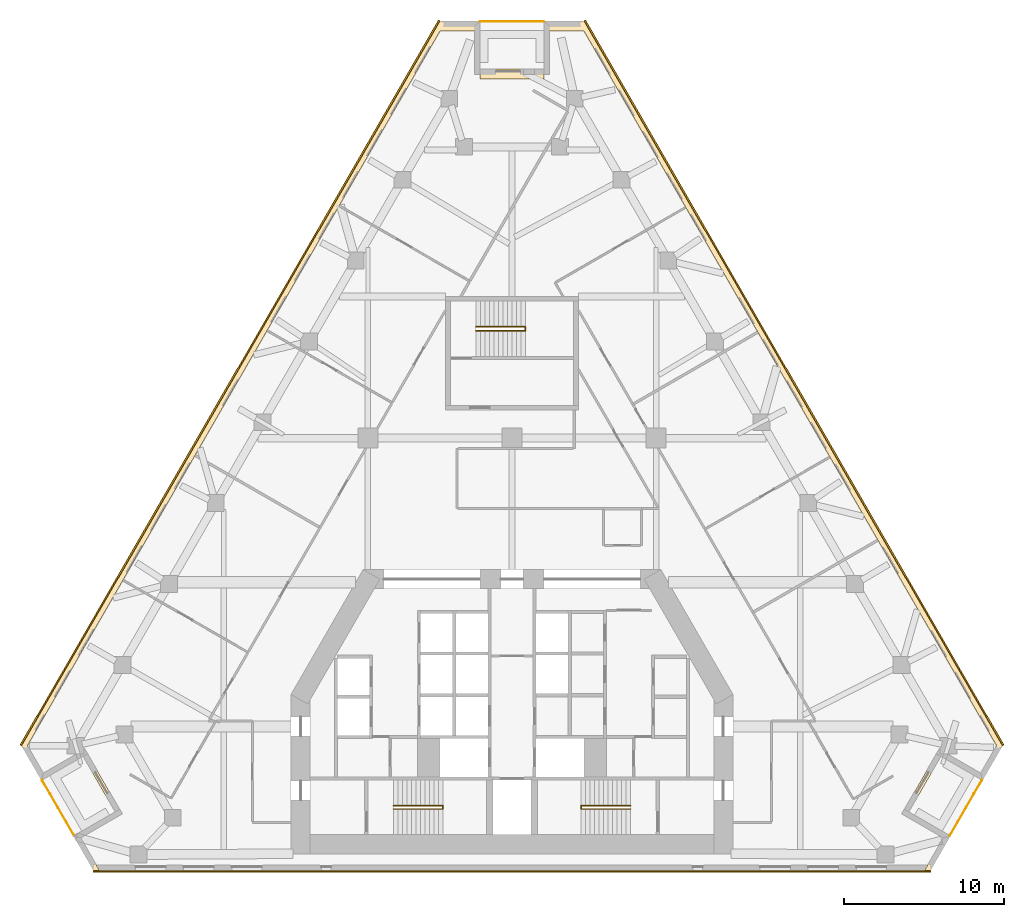
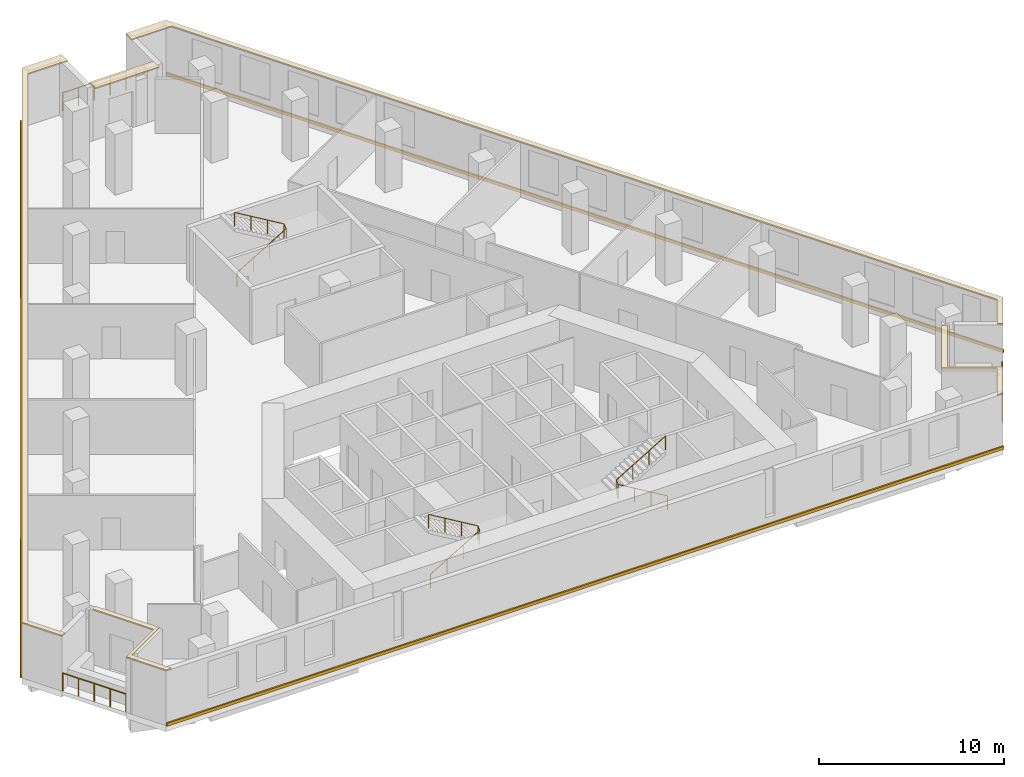
# One storey, part 9 of 9: 8 coverings, 6 railings.
"""IFC4 building model written with IfcOpenShell, lengths in metres."""

from ifc_helpers import new_model, si_unit, direction, frame, origin, origin_2d, place, context, subcontext, project, spatial, polyline, circle, outline, extrude, material, layer, layer_set, type_object, element, save


model = new_model("IFC4")

# Units and contexts
model_context = context("Model", 3, precision=1e-05, world=origin(), true_north=direction((0.0, 1.0)))
body_context = subcontext(model_context, "Body", "Model", "MODEL_VIEW")
ifc_project = project(units=[si_unit("LENGTHUNIT", "METRE"), si_unit("AREAUNIT", "SQUARE_METRE"), si_unit("VOLUMEUNIT", "CUBIC_METRE"), si_unit("PLANEANGLEUNIT", "RADIAN"), si_unit("MASSUNIT", "GRAM", prefix="KILO")], contexts=[model_context])

# Site, building, storey
site_placement = place(None, origin())
site = spatial("IfcSite", under=ifc_project, at=site_placement, CompositionType="ELEMENT")
building_placement = place(site_placement, origin())
building = spatial("IfcBuilding", under=site, at=building_placement, Name="Fogline Exchange Tower", CompositionType="ELEMENT")
storey_placement = place(building_placement, frame((0.0, 0.0, 104.10009765625)))
storey = spatial("IfcBuildingStorey", under=building, at=storey_placement, Name="L22", CompositionType="ELEMENT", Elevation=104.10009765625)

# Coverings
ifc_material_1 = material(Name="Granite", Category="masonry")
ifc_layer = layer(ifc_material_1, 0.080078125)
ifc_layer_set = layer_set([ifc_layer], Name="CP1")
covering_type_1 = type_object("IfcCoveringType", Name="CP1", PredefinedType="USERDEFINED", material=ifc_layer_set)
covering_1_placement = place(storey_placement, frame((0.0, 0.0, 3.599853515625)))
element("IfcCovering", 1, at=covering_1_placement, inside=storey, type_object=covering_type_1, Name="Ledge coping L22", ObjectType="COPING", PredefinedType="USERDEFINED", context=body_context, shape_type="SweptSolid", body=[
    extrude(outline(polyline([(-29.387939453125, 5.629150390625), (-29.10888671875, 5.790283203125), (-30.265625, 7.794189453125), (-4.5, 52.421630859375), (-2.0, 52.421630859375), (-2.0, 53.066650390625), (-4.5, 53.066650390625), (-30.637939453125, 7.794189453125), (-29.387939453125, 5.629150390625)])), origin(), (0.0, 0.0, 1.0), 0.080078125),
])
covering_2_placement = place(storey_placement, frame((0.0, 0.0, 3.599853515625)))
element("IfcCovering", 2, at=covering_2_placement, inside=storey, type_object=covering_type_1, Name="Ledge coping L22", ObjectType="COPING", PredefinedType="USERDEFINED", context=body_context, shape_type="SweptSolid", body=[
    extrude(outline(polyline([(-26.137939453125, 0.0), (-25.765625, 0.0), (-27.015625, 2.1650390625), (-24.41748046875, 3.6650390625), (-26.41748046875, 7.129150390625), (-26.697021484375, 6.968017578125), (-24.7900390625, 3.6650390625), (-27.387939453125, 2.1650390625), (-26.137939453125, 0.0)])), origin(), (0.0, 0.0, 1.0), 0.080078125),
])
covering_3_placement = place(storey_placement, frame((0.0, 0.0, 3.599853515625)))
element("IfcCovering", 3, at=covering_3_placement, inside=storey, type_object=covering_type_1, Name="Ledge coping L22", ObjectType="COPING", PredefinedType="USERDEFINED", context=body_context, shape_type="SweptSolid", body=[
    extrude(outline(polyline([(24.7900390625, 3.6650390625), (26.697021484375, 6.968017578125), (26.41748046875, 7.129150390625), (24.41748046875, 3.6650390625), (27.015625, 2.1650390625), (25.765625, 0.0), (26.137939453125, 0.0), (27.387939453125, 2.1650390625), (24.7900390625, 3.6650390625)])), origin(), (0.0, 0.0, 1.0), 0.080078125),
])
covering_4_placement = place(storey_placement, frame((0.0, 0.0, 3.599853515625)))
element("IfcCovering", 4, at=covering_4_placement, inside=storey, type_object=covering_type_1, Name="Ledge coping L22", ObjectType="COPING", PredefinedType="USERDEFINED", context=body_context, shape_type="SweptSolid", body=[
    extrude(outline(polyline([(2.0, 53.066650390625), (2.0, 52.421630859375), (4.5, 52.421630859375), (30.265625, 7.794189453125), (29.10888671875, 5.790283203125), (29.387939453125, 5.629150390625), (30.637939453125, 7.794189453125), (4.5, 53.066650390625), (2.0, 53.066650390625)])), origin(), (0.0, 0.0, 1.0), 0.080078125),
])
covering_5_placement = place(storey_placement, frame((0.0, 0.0, 3.599853515625)))
element("IfcCovering", 5, at=covering_5_placement, inside=storey, type_object=covering_type_1, Name="Ledge coping L22", ObjectType="COPING", PredefinedType="USERDEFINED", context=body_context, shape_type="SweptSolid", body=[
    extrude(outline(polyline([(2.0, 50.066650390625), (-2.0, 50.066650390625), (-2.0, 49.421630859375), (2.0, 49.421630859375), (2.0, 50.066650390625)])), origin(), (0.0, 0.0, 1.0), 0.080078125),
])

# Railings
ifc_material_2 = material(Name="Stainless steel 304", Category="steel")
railing_type_1 = type_object("IfcRailingType", Name="G1", PredefinedType="GUARDRAIL", material=ifc_material_2)
railing_1_placement = place(storey_placement, frame((-29.334228515625, 5.635986328125, 0.0)))
element("IfcRailing", 6, at=railing_1_placement, inside=storey, type_object=railing_type_1, Name="Balcony guard L22 SW", PredefinedType="GUARDRAIL", context=body_context, shape_type="SweptSolid", body=[
    extrude(circle(Radius=0.02392578125, at=origin_2d()), frame((0.0, 0.0, 1.17578125), z_axis=(0.500000102728, -0.866025344474, 0.0), x_axis=(0.866025344474, 0.500000102728, 0.0)), (0.0, 0.0, 1.0), 3.9580078125),
    extrude(circle(Radius=0.02099609375, at=origin_2d()), origin(), (0.0, 0.0, 1.0), 1.15185546875),
    extrude(circle(Radius=0.02099609375, at=origin_2d()), frame((0.49462890625, -0.85693359375, 0.0)), (0.0, 0.0, 1.0), 1.15185546875),
    extrude(circle(Radius=0.02099609375, at=origin_2d()), frame((0.989501953125, -1.7138671875, 0.0)), (0.0, 0.0, 1.0), 1.15185546875),
    extrude(circle(Radius=0.02099609375, at=origin_2d()), frame((1.484375, -2.57080078125, 0.0)), (0.0, 0.0, 1.0), 1.15185546875),
    extrude(circle(Radius=0.02099609375, at=origin_2d()), frame((1.97900390625, -3.427734375, 0.0)), (0.0, 0.0, 1.0), 1.15185546875),
])
railing_2_placement = place(storey_placement, frame((27.355224609375, 2.208251953125, 0.0)))
element("IfcRailing", 7, at=railing_2_placement, inside=storey, type_object=railing_type_1, Name="Balcony guard L22 SE", PredefinedType="GUARDRAIL", context=body_context, shape_type="SweptSolid", body=[
    extrude(circle(Radius=0.02392578125, at=origin_2d()), frame((0.0, 0.0, 1.17578125), z_axis=(0.500000102728, 0.866025344474, 0.0), x_axis=(-0.866025344474, 0.500000102728, 0.0)), (0.0, 0.0, 1.0), 3.9580078125),
    extrude(circle(Radius=0.02099609375, at=origin_2d()), origin(), (0.0, 0.0, 1.0), 1.15185546875),
    extrude(circle(Radius=0.02099609375, at=origin_2d()), frame((0.49462890625, 0.85693359375, 0.0)), (0.0, 0.0, 1.0), 1.15185546875),
    extrude(circle(Radius=0.02099609375, at=origin_2d()), frame((0.989501953125, 1.7138671875, 0.0)), (0.0, 0.0, 1.0), 1.15185546875),
    extrude(circle(Radius=0.02099609375, at=origin_2d()), frame((1.484375, 2.57080078125, 0.0)), (0.0, 0.0, 1.0), 1.15185546875),
    extrude(circle(Radius=0.02099609375, at=origin_2d()), frame((1.97900390625, 3.427734375, 0.0)), (0.0, 0.0, 1.0), 1.15185546875),
])
railing_3_placement = place(storey_placement, frame((1.97900390625, 53.0166015625, 0.0)))
element("IfcRailing", 8, at=railing_3_placement, inside=storey, type_object=railing_type_1, Name="Balcony guard L22 N", PredefinedType="GUARDRAIL", context=body_context, shape_type="SweptSolid", body=[
    extrude(circle(Radius=0.02392578125, at=origin_2d()), frame((0.0, 0.0, 1.17578125), z_axis=(-1.0, 0.0, 0.0), x_axis=(0.0, -1.0, 0.0)), (0.0, 0.0, 1.0), 3.9580078125),
    extrude(circle(Radius=0.02099609375, at=origin_2d()), origin(), (0.0, 0.0, 1.0), 1.15185546875),
    extrude(circle(Radius=0.02099609375, at=origin_2d()), frame((-0.989501953125, 0.0, 0.0)), (0.0, 0.0, 1.0), 1.15185546875),
    extrude(circle(Radius=0.02099609375, at=origin_2d()), frame((-1.97900390625, 0.0, 0.0)), (0.0, 0.0, 1.0), 1.15185546875),
    extrude(circle(Radius=0.02099609375, at=origin_2d()), frame((-2.968505859375, 0.0, 0.0)), (0.0, 0.0, 1.0), 1.15185546875),
    extrude(circle(Radius=0.02099609375, at=origin_2d()), frame((-3.9580078125, 0.0, 0.0)), (0.0, 0.0, 1.0), 1.15185546875),
])
ifc_material_3 = material(Name="Steel Q235B", Category="steel")
railing_type_2 = type_object("IfcRailingType", Name="RL-HR", PredefinedType="HANDRAIL", material=ifc_material_3)
railing_4_placement = place(storey_placement, frame((-7.39990234375, 3.85009765625, 0.16650390625)))
element("IfcRailing", 9, at=railing_4_placement, inside=storey, type_object=railing_type_2, Name="Handrail ST1", PredefinedType="HANDRAIL", context=body_context, shape_type="SweptSolid", body=[
    extrude(circle(Radius=0.02392578125, at=origin_2d()), frame((0.0, 0.0, 0.92578125), z_axis=(0.859260807169, 0.0, 0.511537745687), x_axis=(0.0, 1.0, 0.0)), (0.0, 0.0, 1.0), 3.584228515625),
    extrude(circle(Radius=0.02392578125, at=origin_2d()), frame((3.079833984375, 0.0, 2.75927734375), z_axis=(0.0, 0.768451954486, 0.639907488351), x_axis=(-1.0, 0.0, 0.0)), (0.0, 0.0, 1.0), 0.26025390625),
    extrude(circle(Radius=0.02392578125, at=origin_2d()), frame((3.079833984375, 0.199951171875, 2.92578125), z_axis=(-0.859260807169, 0.0, 0.511537745687), x_axis=(0.0, -1.0, 0.0)), (0.0, 0.0, 1.0), 3.584228515625),
    extrude(circle(Radius=0.02099609375, at=origin_2d()), origin(), (0.0, 0.0, 1.0), 0.90185546875),
    extrude(circle(Radius=0.02099609375, at=origin_2d()), frame((1.026611328125, 0.0, 0.611083984375)), (0.0, 0.0, 1.0), 0.90185546875),
    extrude(circle(Radius=0.02099609375, at=origin_2d()), frame((2.05322265625, 0.0, 1.222412109375)), (0.0, 0.0, 1.0), 0.90185546875),
    extrude(circle(Radius=0.02099609375, at=origin_2d()), frame((3.079833984375, 0.0, 1.83349609375)), (0.0, 0.0, 1.0), 0.90185546875),
    extrude(circle(Radius=0.02099609375, at=origin_2d()), frame((3.079833984375, 0.199951171875, 2.0)), (0.0, 0.0, 1.0), 0.90185546875),
    extrude(circle(Radius=0.02099609375, at=origin_2d()), frame((2.05322265625, 0.199951171875, 2.611083984375)), (0.0, 0.0, 1.0), 0.90185546875),
    extrude(circle(Radius=0.02099609375, at=origin_2d()), frame((1.026611328125, 0.199951171875, 3.222412109375)), (0.0, 0.0, 1.0), 0.90185546875),
    extrude(circle(Radius=0.02099609375, at=origin_2d()), frame((0.0, 0.199951171875, 3.83349609375)), (0.0, 0.0, 1.0), 0.90185546875),
])
railing_5_placement = place(storey_placement, frame((7.39990234375, 3.85009765625, 0.16650390625)))
element("IfcRailing", 10, at=railing_5_placement, inside=storey, type_object=railing_type_2, Name="Handrail ST2", PredefinedType="HANDRAIL", context=body_context, shape_type="SweptSolid", body=[
    extrude(circle(Radius=0.02392578125, at=origin_2d()), frame((0.0, 0.0, 0.92578125), z_axis=(-0.859260807169, 0.0, 0.511537745687), x_axis=(0.0, -1.0, 0.0)), (0.0, 0.0, 1.0), 3.584228515625),
    extrude(circle(Radius=0.02392578125, at=origin_2d()), frame((-3.079833984375, 0.0, 2.75927734375), z_axis=(0.0, 0.768451954486, 0.639907488351), x_axis=(-1.0, 0.0, 0.0)), (0.0, 0.0, 1.0), 0.26025390625),
    extrude(circle(Radius=0.02392578125, at=origin_2d()), frame((-3.079833984375, 0.199951171875, 2.92578125), z_axis=(0.859260807169, 0.0, 0.511537745687), x_axis=(0.0, 1.0, 0.0)), (0.0, 0.0, 1.0), 3.584228515625),
    extrude(circle(Radius=0.02099609375, at=origin_2d()), origin(), (0.0, 0.0, 1.0), 0.90185546875),
    extrude(circle(Radius=0.02099609375, at=origin_2d()), frame((-1.026611328125, 0.0, 0.611083984375)), (0.0, 0.0, 1.0), 0.90185546875),
    extrude(circle(Radius=0.02099609375, at=origin_2d()), frame((-2.05322265625, 0.0, 1.222412109375)), (0.0, 0.0, 1.0), 0.90185546875),
    extrude(circle(Radius=0.02099609375, at=origin_2d()), frame((-3.079833984375, 0.0, 1.83349609375)), (0.0, 0.0, 1.0), 0.90185546875),
    extrude(circle(Radius=0.02099609375, at=origin_2d()), frame((-3.079833984375, 0.199951171875, 2.0)), (0.0, 0.0, 1.0), 0.90185546875),
    extrude(circle(Radius=0.02099609375, at=origin_2d()), frame((-2.05322265625, 0.199951171875, 2.611083984375)), (0.0, 0.0, 1.0), 0.90185546875),
    extrude(circle(Radius=0.02099609375, at=origin_2d()), frame((-1.026611328125, 0.199951171875, 3.222412109375)), (0.0, 0.0, 1.0), 0.90185546875),
    extrude(circle(Radius=0.02099609375, at=origin_2d()), frame((0.0, 0.199951171875, 3.83349609375)), (0.0, 0.0, 1.0), 0.90185546875),
])
railing_6_placement = place(storey_placement, frame((-2.25, 33.70703125, 0.16650390625)))
element("IfcRailing", 11, at=railing_6_placement, inside=storey, type_object=railing_type_2, Name="Handrail ST3", PredefinedType="HANDRAIL", context=body_context, shape_type="SweptSolid", body=[
    extrude(circle(Radius=0.02392578125, at=origin_2d()), frame((0.0, 0.0, 0.92578125), z_axis=(0.85927862911, 0.0, 0.511507807912), x_axis=(0.0, 1.0, 0.0)), (0.0, 0.0, 1.0), 3.58447265625),
    extrude(circle(Radius=0.02392578125, at=origin_2d()), frame((3.080078125, 0.0, 2.75927734375), z_axis=(0.0, 0.832300300006, 0.554325004496), x_axis=(-1.0, 0.0, 0.0)), (0.0, 0.0, 1.0), 0.30029296875),
    extrude(circle(Radius=0.02392578125, at=origin_2d()), frame((3.080078125, 0.25, 2.92578125), z_axis=(-0.85927862911, 0.0, 0.511507807912), x_axis=(0.0, -1.0, 0.0)), (0.0, 0.0, 1.0), 3.58447265625),
    extrude(circle(Radius=0.02099609375, at=origin_2d()), origin(), (0.0, 0.0, 1.0), 0.90185546875),
    extrude(circle(Radius=0.02099609375, at=origin_2d()), frame((1.026611328125, 0.0, 0.611083984375)), (0.0, 0.0, 1.0), 0.90185546875),
    extrude(circle(Radius=0.02099609375, at=origin_2d()), frame((2.053466796875, 0.0, 1.222412109375)), (0.0, 0.0, 1.0), 0.90185546875),
    extrude(circle(Radius=0.02099609375, at=origin_2d()), frame((3.080078125, 0.0, 1.83349609375)), (0.0, 0.0, 1.0), 0.90185546875),
    extrude(circle(Radius=0.02099609375, at=origin_2d()), frame((3.080078125, 0.25, 2.0)), (0.0, 0.0, 1.0), 0.90185546875),
    extrude(circle(Radius=0.02099609375, at=origin_2d()), frame((2.053466796875, 0.25, 2.611083984375)), (0.0, 0.0, 1.0), 0.90185546875),
    extrude(circle(Radius=0.02099609375, at=origin_2d()), frame((1.026611328125, 0.25, 3.222412109375)), (0.0, 0.0, 1.0), 0.90185546875),
    extrude(circle(Radius=0.02099609375, at=origin_2d()), frame((0.0, 0.25, 3.83349609375)), (0.0, 0.0, 1.0), 0.90185546875),
])

# Coverings
ifc_material_4 = material(Name="Brick masonry", Category="masonry")
covering_type_2 = type_object("IfcCoveringType", Name="SB1", PredefinedType="CLADDING", material=ifc_material_4)
covering_6_placement = place(storey_placement, origin())
element("IfcCovering", 12, at=covering_6_placement, inside=storey, type_object=covering_type_2, Name="Stringcourse band L22 S", PredefinedType="CLADDING", context=body_context, shape_type="SweptSolid", body=[
    extrude(outline(polyline([(-26.137939453125, 0.0), (-26.137939453125, -0.10009765625), (26.137939453125, -0.10009765625), (26.137939453125, 0.0), (-26.137939453125, 0.0)])), origin(), (0.0, 0.0, 1.0), 0.199951171875),
])
covering_7_placement = place(storey_placement, origin())
element("IfcCovering", 13, at=covering_7_placement, inside=storey, type_object=covering_type_2, Name="Stringcourse band L22 E", PredefinedType="CLADDING", context=body_context, shape_type="SweptSolid", body=[
    extrude(outline(polyline([(30.637939453125, 7.794189453125), (30.724609375, 7.84423828125), (4.586669921875, 53.11669921875), (4.5, 53.066650390625), (30.637939453125, 7.794189453125)])), origin(), (0.0, 0.0, 1.0), 0.199951171875),
])
covering_8_placement = place(storey_placement, origin())
element("IfcCovering", 14, at=covering_8_placement, inside=storey, type_object=covering_type_2, Name="Stringcourse band L22 W", PredefinedType="CLADDING", context=body_context, shape_type="SweptSolid", body=[
    extrude(outline(polyline([(-4.5, 53.066650390625), (-4.586669921875, 53.11669921875), (-30.724609375, 7.84423828125), (-30.637939453125, 7.794189453125), (-4.5, 53.066650390625)])), origin(), (0.0, 0.0, 1.0), 0.199951171875),
])

save(model, "model.ifc")
